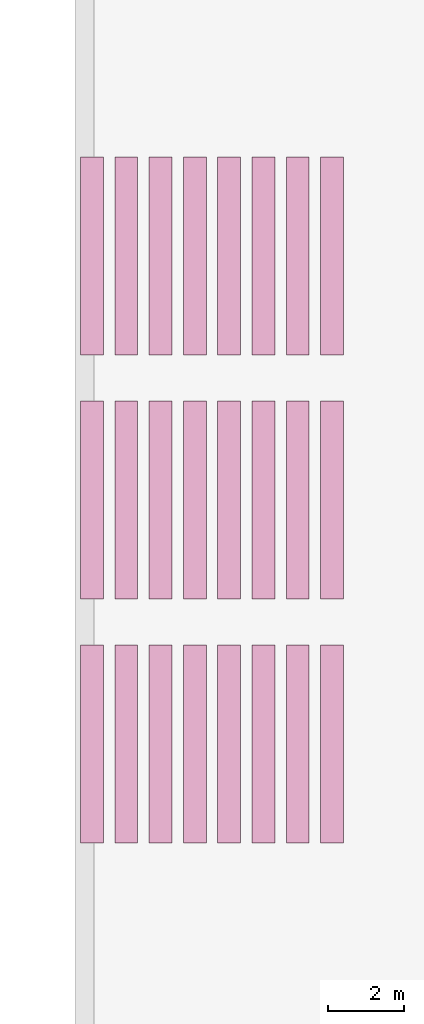
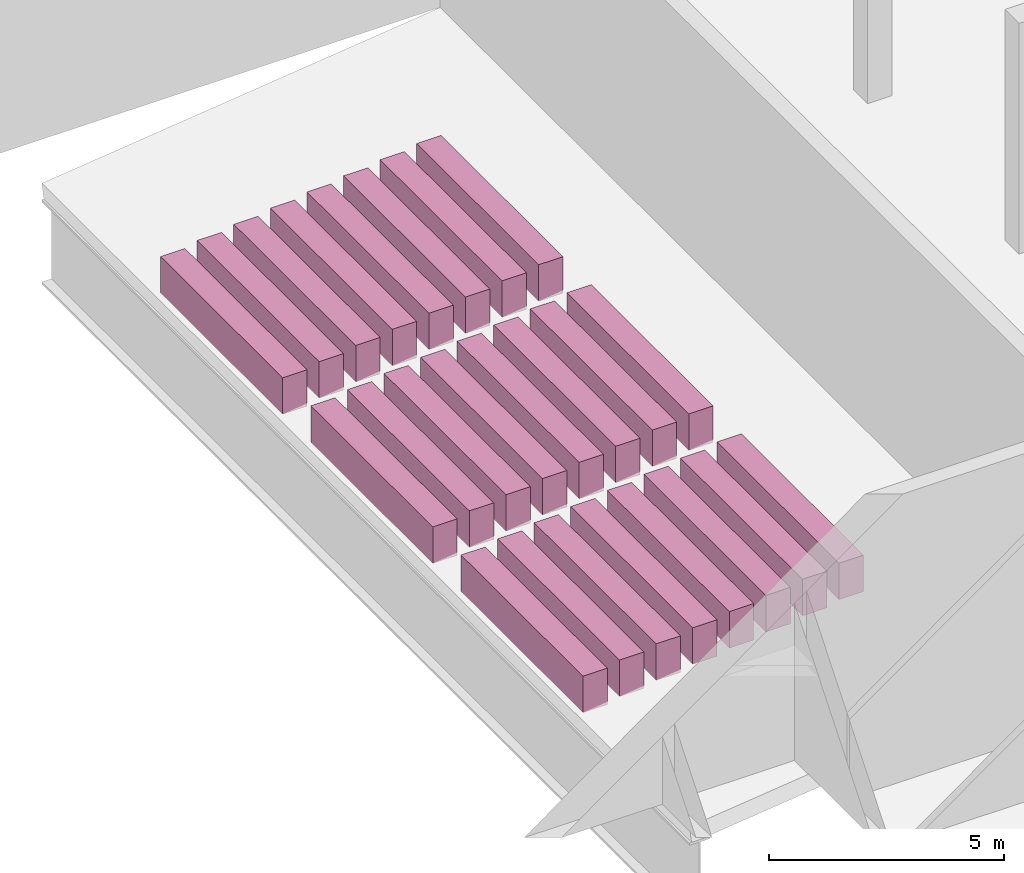
# One storey, part 74 of 74: 24 furnishings.
"""IFC4 building model written with IfcOpenShell, lengths in metres."""

from ifc_helpers import new_model, si_unit, direction, frame, origin, origin_2d, place, context, subcontext, project, spatial, rectangle, extrude, material, type_object, element, save


model = new_model("IFC4")

# Units and contexts
model_context = context("Model", 3, precision=1e-05, world=origin(), true_north=direction((0.0, 1.0)))
body_context = subcontext(model_context, "Body", "Model", "MODEL_VIEW")
ifc_project = project(units=[si_unit("LENGTHUNIT", "METRE"), si_unit("AREAUNIT", "SQUARE_METRE"), si_unit("VOLUMEUNIT", "CUBIC_METRE"), si_unit("PLANEANGLEUNIT", "RADIAN"), si_unit("MASSUNIT", "GRAM", prefix="KILO")], contexts=[model_context])

# Site, building, storey
site_placement = place(None, origin())
site = spatial("IfcSite", under=ifc_project, at=site_placement, CompositionType="ELEMENT")
building_placement = place(site_placement, origin())
building = spatial("IfcBuilding", under=site, at=building_placement, Name="Noorbagh Ring Tower", CompositionType="ELEMENT")
storey_placement = place(building_placement, frame((0.0, 0.0, 7.5)))
storey = spatial("IfcBuildingStorey", under=building, at=storey_placement, Name="L01", CompositionType="ELEMENT", Elevation=7.5)

# Furnishings
ifc_material = material(Name="Upholstered timber seating", Category="wood")
furnishing_element_type = type_object("IfcFurnishingElementType", Name="TH-SEATROW", material=ifc_material)
for number, where, z_axis, x_axis, name in (
    (1, (-120.550048828125, -1.39990234375, -1.140625), (0.0, 0.0, 1.0), (1.0, 0.0, 0.0), "Circle row 1 block A"),
    (2, (-120.550048828125, 5.0, -1.140625), (0.0, 0.0, 1.0), (1.0, 0.0, 0.0), "Circle row 1 block B"),
    (3, (-120.550048828125, 11.39990234375, -1.140625), (0.0, 0.0, 1.0), (1.0, 0.0, 0.0), "Circle row 1 block C"),
    (4, (-119.64990234375, -1.39990234375, -1.03564453125), (0.0, 0.0, 1.0), (1.0, 0.0, 0.0), "Circle row 2 block A"),
    (5, (-119.64990234375, 5.0, -1.03564453125), (0.0, 0.0, 1.0), (1.0, 0.0, 0.0), "Circle row 2 block B"),
    (6, (-119.64990234375, 11.39990234375, -1.03564453125), (0.0, 0.0, 1.0), (1.0, 0.0, 0.0), "Circle row 2 block C"),
    (7, (-118.75, -1.39990234375, -0.9306640625), (0.0, 0.0, 1.0), (1.0, 0.0, 0.0), "Circle row 3 block A"),
    (8, (-118.75, 5.0, -0.9306640625), (0.0, 0.0, 1.0), (1.0, 0.0, 0.0), "Circle row 3 block B"),
    (9, (-118.75, 11.39990234375, -0.9306640625), (0.0, 0.0, 1.0), (1.0, 0.0, 0.0), "Circle row 3 block C"),
    (10, (-117.85009765625, -1.39990234375, -0.82568359375), (0.0, 0.0, 1.0), (1.0, 0.0, 0.0), "Circle row 4 block A"),
    (11, (-117.85009765625, 5.0, -0.82568359375), (0.0, 0.0, 1.0), (1.0, 0.0, 0.0), "Circle row 4 block B"),
    (12, (-117.85009765625, 11.39990234375, -0.82568359375), (0.0, 0.0, 1.0), (1.0, 0.0, 0.0), "Circle row 4 block C"),
    (13, (-116.949951171875, -1.39990234375, -0.720703125), (0.0, 0.0, 1.0), (1.0, 0.0, 0.0), "Circle row 5 block A"),
    (14, (-116.949951171875, 5.0, -0.720703125), (0.0, 0.0, 1.0), (1.0, 0.0, 0.0), "Circle row 5 block B"),
    (15, (-116.949951171875, 11.39990234375, -0.720703125), (0.0, 0.0, 1.0), (1.0, 0.0, 0.0), "Circle row 5 block C"),
    (16, (-116.050048828125, -1.39990234375, -0.61572265625), (0.0, 0.0, 1.0), (1.0, 0.0, 0.0), "Circle row 6 block A"),
    (17, (-116.050048828125, 5.0, -0.61572265625), (0.0, 0.0, 1.0), (1.0, 0.0, 0.0), "Circle row 6 block B"),
    (18, (-116.050048828125, 11.39990234375, -0.61572265625), (0.0, 0.0, 1.0), (1.0, 0.0, 0.0), "Circle row 6 block C"),
    (19, (-115.14990234375, -1.39990234375, -0.5107421875), (0.0, 0.0, 1.0), (1.0, 0.0, 0.0), "Circle row 7 block A"),
    (20, (-115.14990234375, 5.0, -0.5107421875), (0.0, 0.0, 1.0), (1.0, 0.0, 0.0), "Circle row 7 block B"),
    (21, (-115.14990234375, 11.39990234375, -0.5107421875), (0.0, 0.0, 1.0), (1.0, 0.0, 0.0), "Circle row 7 block C"),
    (22, (-114.25, -1.39990234375, -0.40576171875), (0.0, 0.0, 1.0), (1.0, 0.0, 0.0), "Circle row 8 block A"),
    (23, (-114.25, 5.0, -0.40576171875), (0.0, 0.0, 1.0), (1.0, 0.0, 0.0), "Circle row 8 block B"),
    (24, (-114.25, 11.39990234375, -0.40576171875), (0.0, 0.0, 1.0), (1.0, 0.0, 0.0), "Circle row 8 block C"),
):
    element("IfcFurnishingElement", number, at=place(storey_placement, frame(where, z_axis=z_axis, x_axis=x_axis)), inside=storey, type_object=furnishing_element_type, Name=name, context=body_context, shape_type="SweptSolid", body=[
        extrude(rectangle(XDim=0.60009765625, YDim=5.199951171875, at=origin_2d()), origin(), (0.0, 0.0, 1.0), 0.949951171875),
    ])

save(model, "model.ifc")
